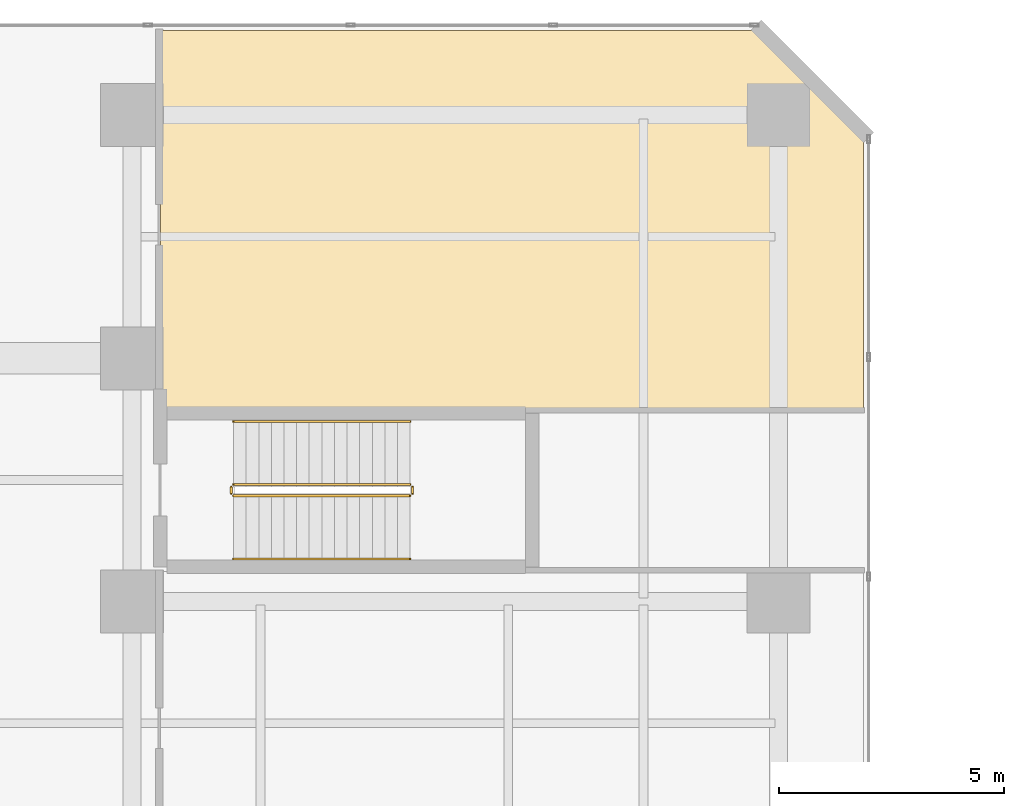
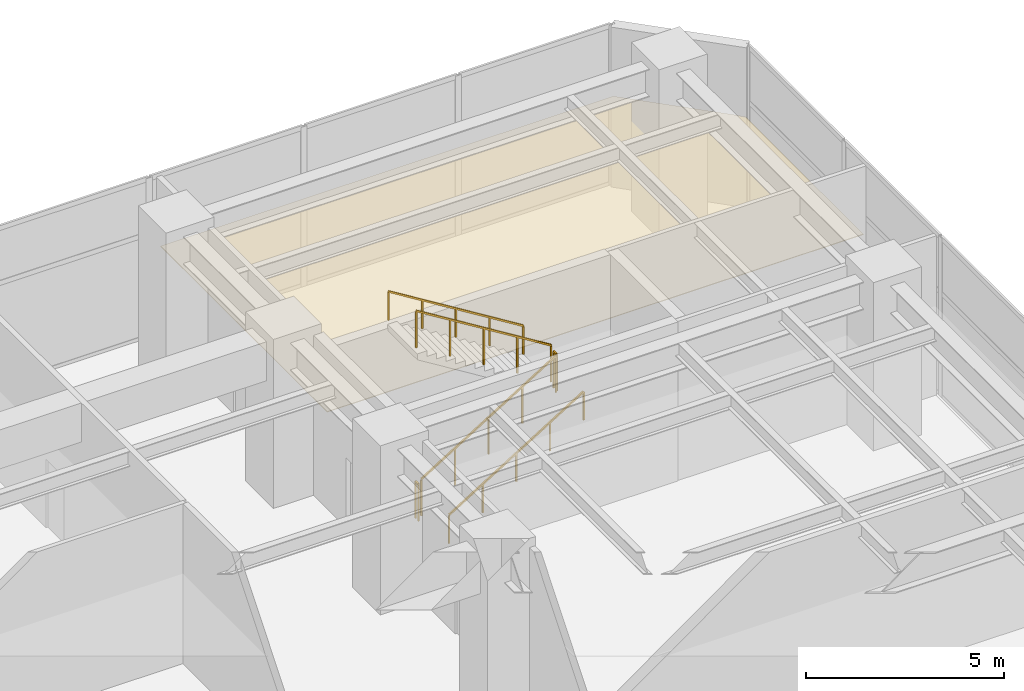
# One storey, part 22 of 22: 6 railings, 1 covering.
"""IFC4 building model written with IfcOpenShell, lengths in metres."""

from ifc_helpers import new_model, si_unit, direction, frame, origin, origin_2d, place, context, subcontext, project, spatial, polyline, rectangle, outline, extrude, material, layer, layer_set, type_object, element, save


model = new_model("IFC4")

# Units and contexts
model_context = context("Model", 3, precision=1e-05, world=origin(), true_north=direction((0.0, 1.0)))
body_context = subcontext(model_context, "Body", "Model", "MODEL_VIEW")
ifc_project = project(units=[si_unit("LENGTHUNIT", "METRE"), si_unit("AREAUNIT", "SQUARE_METRE"), si_unit("VOLUMEUNIT", "CUBIC_METRE"), si_unit("PLANEANGLEUNIT", "RADIAN"), si_unit("MASSUNIT", "GRAM", prefix="KILO")], contexts=[model_context])

# Site, building, storey
site_placement = place(None, origin())
site = spatial("IfcSite", under=ifc_project, at=site_placement, CompositionType="ELEMENT")
building_placement = place(site_placement, origin())
building = spatial("IfcBuilding", under=site, at=building_placement, Name="Mawjaban Terraces University", CompositionType="ELEMENT")
storey_placement = place(building_placement, frame((0.0, 0.0, 10.39990234375)))
storey = spatial("IfcBuildingStorey", under=building, at=storey_placement, Name="L02", CompositionType="ELEMENT", Elevation=10.39990234375)

# Covering
ifc_material_1 = material(Name="Acoustic mineral fibre ceiling tile", Category="masonry")
ifc_layer = layer(ifc_material_1, 0.02001953125)
ifc_layer_set = layer_set([ifc_layer], Name="Acoustic mineral fibre ceiling tile")
covering_type = type_object("IfcCoveringType", Name="AcousticMineralCeiling_20", PredefinedType="CEILING", material=ifc_layer_set)
covering_placement = place(storey_placement, frame((0.0, 0.0, 2.75)))
element("IfcCovering", 1, at=covering_placement, inside=storey, type_object=covering_type, Name="L02 Special Collections Study Room Acoustic Ceiling", PredefinedType="CEILING", context=body_context, shape_type="SweptSolid", body=[
    extrude(outline(polyline([(53.885009765625, 45.47998046875), (53.885009765625, 51.452880859375), (51.452880859375, 53.885009765625), (38.280029296875, 53.885009765625), (38.280029296875, 45.47998046875), (53.885009765625, 45.47998046875)])), origin(), (0.0, 0.0, 1.0), 0.02001953125),
])

# Railings
ifc_material_2 = material(Name="Brushed stainless steel 316", Category="steel")
railing_type_1 = type_object("IfcRailingType", Name="StairWallHandrail_900", PredefinedType="HANDRAIL", material=ifc_material_2)
railing_1_placement = place(storey_placement, frame((39.89990234375, 42.14990234375, 0.17333984375)))
element("IfcRailing", 2, at=railing_1_placement, inside=storey, type_object=railing_type_1, Name="L02 ST-4 stair handrail 1", PredefinedType="HANDRAIL", context=body_context, shape_type="SweptSolid", body=[
    extrude(rectangle(XDim=0.048095703125, YDim=0.048095703125, at=origin_2d()), frame((0.0, 0.0, 0.8759765625), z_axis=(0.850266275192, 0.0, 0.526352791643), x_axis=(0.0, 1.0, 0.0)), (0.0, 0.0, 1.0), 4.610595703125),
    extrude(rectangle(XDim=0.0419921875, YDim=0.0419921875, at=origin_2d()), origin(), (0.0, 0.0, 1.0), 0.851806640625),
    extrude(rectangle(XDim=0.0419921875, YDim=0.0419921875, at=origin_2d()), frame((0.97998046875, 0.0, 0.606689453125)), (0.0, 0.0, 1.0), 0.851806640625),
    extrude(rectangle(XDim=0.0419921875, YDim=0.0419921875, at=origin_2d()), frame((1.9599609375, 0.0, 1.21337890625)), (0.0, 0.0, 1.0), 0.851806640625),
    extrude(rectangle(XDim=0.0419921875, YDim=0.0419921875, at=origin_2d()), frame((2.940185546875, 0.0, 1.820068359375)), (0.0, 0.0, 1.0), 0.851806640625),
    extrude(rectangle(XDim=0.0419921875, YDim=0.0419921875, at=origin_2d()), frame((3.920166015625, 0.0, 2.4267578125)), (0.0, 0.0, 1.0), 0.851806640625),
])
railing_2_placement = place(storey_placement, frame((43.820068359375, 45.199951171875, 2.7734375)))
element("IfcRailing", 3, at=railing_2_placement, inside=storey, type_object=railing_type_1, Name="L02 ST-4 stair handrail 2", PredefinedType="HANDRAIL", context=body_context, shape_type="SweptSolid", body=[
    extrude(rectangle(XDim=0.048095703125, YDim=0.048095703125, at=origin_2d()), frame((0.0, 0.0, 0.8759765625), z_axis=(-0.850266275192, 0.0, 0.526352791643), x_axis=(0.0, -1.0, 0.0)), (0.0, 0.0, 1.0), 4.610595703125),
    extrude(rectangle(XDim=0.0419921875, YDim=0.0419921875, at=origin_2d()), origin(), (0.0, 0.0, 1.0), 0.851806640625),
    extrude(rectangle(XDim=0.0419921875, YDim=0.0419921875, at=origin_2d()), frame((-0.97998046875, 0.0, 0.606689453125)), (0.0, 0.0, 1.0), 0.851806640625),
    extrude(rectangle(XDim=0.0419921875, YDim=0.0419921875, at=origin_2d()), frame((-1.9599609375, 0.0, 1.21337890625)), (0.0, 0.0, 1.0), 0.851806640625),
    extrude(rectangle(XDim=0.0419921875, YDim=0.0419921875, at=origin_2d()), frame((-2.940185546875, 0.0, 1.820068359375)), (0.0, 0.0, 1.0), 0.851806640625),
    extrude(rectangle(XDim=0.0419921875, YDim=0.0419921875, at=origin_2d()), frame((-3.920166015625, 0.0, 2.4267578125)), (0.0, 0.0, 1.0), 0.851806640625),
])
ifc_material_3 = material(Name="Galvanised painted steel S355", Category="steel")
railing_type_2 = type_object("IfcRailingType", Name="StairWellGuard_1150", PredefinedType="BALUSTRADE", material=ifc_material_3)
railing_3_placement = place(storey_placement, frame((39.89990234375, 43.550048828125, 0.17333984375)))
element("IfcRailing", 4, at=railing_3_placement, inside=storey, type_object=railing_type_2, Name="L02 ST-4 stair guard 1", PredefinedType="BALUSTRADE", context=body_context, shape_type="SweptSolid", body=[
    extrude(rectangle(XDim=0.048095703125, YDim=0.048095703125, at=origin_2d()), frame((0.0, 0.0, 1.1259765625), z_axis=(0.850266275192, 0.0, 0.526352791643), x_axis=(0.0, 1.0, 0.0)), (0.0, 0.0, 1.0), 4.610595703125),
    extrude(rectangle(XDim=0.0419921875, YDim=0.0419921875, at=origin_2d()), origin(), (0.0, 0.0, 1.0), 1.101806640625),
    extrude(rectangle(XDim=0.0419921875, YDim=0.0419921875, at=origin_2d()), frame((0.97998046875, 0.0, 0.606689453125)), (0.0, 0.0, 1.0), 1.101806640625),
    extrude(rectangle(XDim=0.0419921875, YDim=0.0419921875, at=origin_2d()), frame((1.9599609375, 0.0, 1.21337890625)), (0.0, 0.0, 1.0), 1.101806640625),
    extrude(rectangle(XDim=0.0419921875, YDim=0.0419921875, at=origin_2d()), frame((2.940185546875, 0.0, 1.820068359375)), (0.0, 0.0, 1.0), 1.101806640625),
    extrude(rectangle(XDim=0.0419921875, YDim=0.0419921875, at=origin_2d()), frame((3.920166015625, 0.0, 2.4267578125)), (0.0, 0.0, 1.0), 1.101806640625),
])
railing_4_placement = place(storey_placement, frame((43.8701171875, 43.60009765625, 2.60009765625)))
element("IfcRailing", 5, at=railing_4_placement, inside=storey, type_object=railing_type_2, Name="L02 ST-4 stair guard 2", PredefinedType="BALUSTRADE", context=body_context, shape_type="SweptSolid", body=[
    extrude(rectangle(XDim=0.048095703125, YDim=0.048095703125, at=origin_2d()), frame((0.0, 0.0, 1.1259765625), z_axis=(0.0, 1.0, 0.0), x_axis=(-1.0, 0.0, 0.0)), (0.0, 0.0, 1.0), 0.14990234375),
    extrude(rectangle(XDim=0.0419921875, YDim=0.0419921875, at=origin_2d()), origin(), (0.0, 0.0, 1.0), 1.101806640625),
    extrude(rectangle(XDim=0.0419921875, YDim=0.0419921875, at=origin_2d()), frame((0.0, 0.14990234375, 0.0)), (0.0, 0.0, 1.0), 1.101806640625),
])
railing_5_placement = place(storey_placement, frame((43.820068359375, 43.800048828125, 2.7734375)))
element("IfcRailing", 6, at=railing_5_placement, inside=storey, type_object=railing_type_2, Name="L02 ST-4 stair guard 3", PredefinedType="BALUSTRADE", context=body_context, shape_type="SweptSolid", body=[
    extrude(rectangle(XDim=0.048095703125, YDim=0.048095703125, at=origin_2d()), frame((0.0, 0.0, 1.1259765625), z_axis=(-0.850266275192, 0.0, 0.526352791643), x_axis=(0.0, -1.0, 0.0)), (0.0, 0.0, 1.0), 4.610595703125),
    extrude(rectangle(XDim=0.0419921875, YDim=0.0419921875, at=origin_2d()), origin(), (0.0, 0.0, 1.0), 1.101806640625),
    extrude(rectangle(XDim=0.0419921875, YDim=0.0419921875, at=origin_2d()), frame((-0.97998046875, 0.0, 0.606689453125)), (0.0, 0.0, 1.0), 1.101806640625),
    extrude(rectangle(XDim=0.0419921875, YDim=0.0419921875, at=origin_2d()), frame((-1.9599609375, 0.0, 1.21337890625)), (0.0, 0.0, 1.0), 1.101806640625),
    extrude(rectangle(XDim=0.0419921875, YDim=0.0419921875, at=origin_2d()), frame((-2.940185546875, 0.0, 1.820068359375)), (0.0, 0.0, 1.0), 1.101806640625),
    extrude(rectangle(XDim=0.0419921875, YDim=0.0419921875, at=origin_2d()), frame((-3.920166015625, 0.0, 2.4267578125)), (0.0, 0.0, 1.0), 1.101806640625),
])
railing_6_placement = place(storey_placement, frame((39.85009765625, 43.60009765625, 0.0)))
element("IfcRailing", 7, at=railing_6_placement, inside=storey, type_object=railing_type_2, Name="L02 ST-4 stair guard 4", PredefinedType="BALUSTRADE", context=body_context, shape_type="SweptSolid", body=[
    extrude(rectangle(XDim=0.048095703125, YDim=0.048095703125, at=origin_2d()), frame((0.0, 0.0, 1.1259765625), z_axis=(0.0, 1.0, 0.0), x_axis=(-1.0, 0.0, 0.0)), (0.0, 0.0, 1.0), 0.14990234375),
    extrude(rectangle(XDim=0.0419921875, YDim=0.0419921875, at=origin_2d()), origin(), (0.0, 0.0, 1.0), 1.101806640625),
    extrude(rectangle(XDim=0.0419921875, YDim=0.0419921875, at=origin_2d()), frame((0.0, 0.14990234375, 0.0)), (0.0, 0.0, 1.0), 1.101806640625),
])

save(model, "model.ifc")
